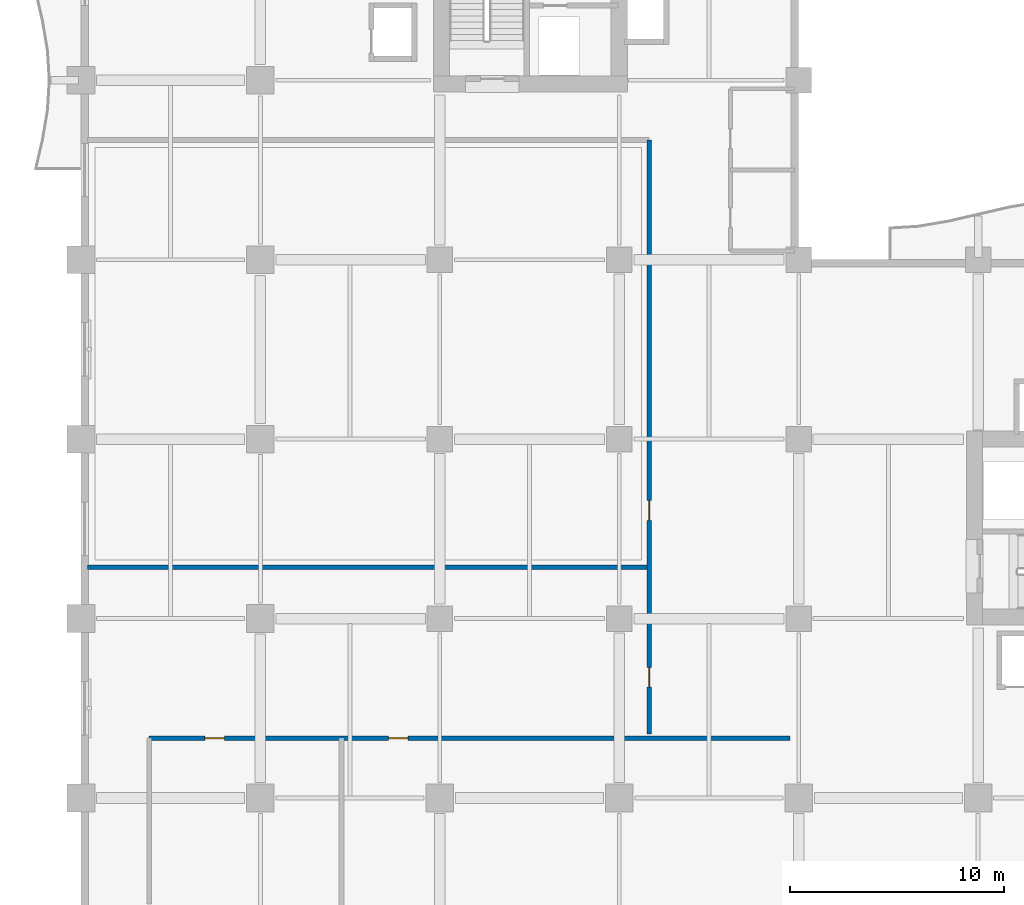
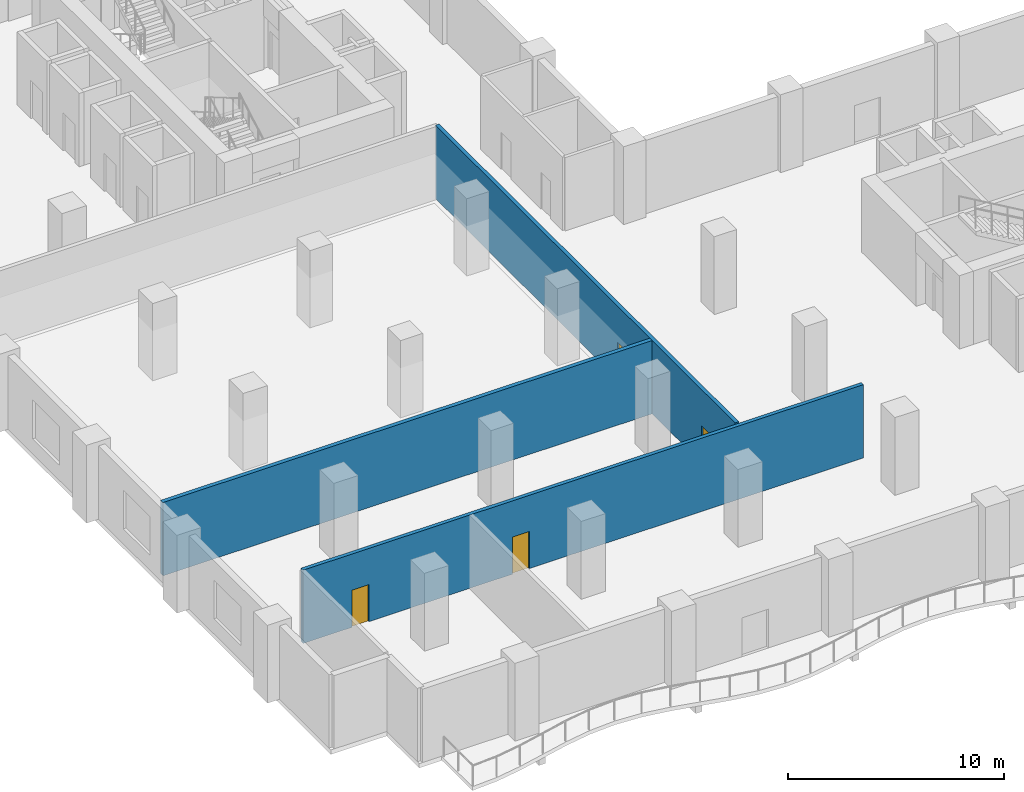
# One storey, part 7 of 21: 4 doors, 3 walls, 4 openings.
"""IFC4 building model written with IfcOpenShell, lengths in metres."""

from ifc_helpers import new_model, si_unit, direction, frame, frame_2d, origin, place, context, subcontext, project, spatial, rectangle, extrude, material, layer, layer_set, type_object, element, fill, save


model = new_model("IFC4")

# Units and contexts
model_context = context("Model", 3, precision=1e-05, world=origin(), true_north=direction((0.0, 1.0)))
body_context = subcontext(model_context, "Body", "Model", "MODEL_VIEW")
ifc_project = project(units=[si_unit("LENGTHUNIT", "METRE"), si_unit("AREAUNIT", "SQUARE_METRE"), si_unit("VOLUMEUNIT", "CUBIC_METRE"), si_unit("PLANEANGLEUNIT", "RADIAN"), si_unit("MASSUNIT", "GRAM", prefix="KILO")], contexts=[model_context])

# Site, building, storey
site_placement = place(None, origin())
site = spatial("IfcSite", under=ifc_project, at=site_placement, CompositionType="ELEMENT")
building_placement = place(site_placement, origin())
building = spatial("IfcBuilding", under=site, at=building_placement, Name="Koriwani Terraces Tower", CompositionType="ELEMENT")
storey_placement = place(building_placement, frame((0.0, 0.0, 85.199951171875)))
storey = spatial("IfcBuildingStorey", under=building, at=storey_placement, Name="L20", CompositionType="ELEMENT", Elevation=85.199951171875)

# Wall, openings, doors
ifc_material_1 = material(Name="Autoclaved Cellular Concrete Blockwork", Category="masonry")
ifc_layer_1 = layer(ifc_material_1, 0.199951171875, Name="Autoclaved Cellular Concrete Blockwork")
ifc_layer_set_1 = layer_set([ifc_layer_1], Name="Autoclaved Cellular Concrete Blockwork")
wall_type_1 = type_object("IfcWallType", Name="WALL_CORRIDOR_200", PredefinedType="PARTITIONING", material=ifc_layer_set_1)
wall_1_placement = place(storey_placement, frame((3.199951171875, 11.199951171875, 0.0), z_axis=(0.0, 0.0, 1.0), x_axis=(1.0, 0.0, 0.0)))
wall_1 = element("IfcWall", 1, at=wall_1_placement, inside=storey, type_object=wall_type_1, Name="L20 Interior Wall WSKY-SPN-L20", PredefinedType="PARTITIONING", context=body_context, shape_type="SweptSolid", body=[
    extrude(rectangle(XDim=30.0, YDim=0.199951171875, at=frame_2d((15.0, 0.0))), origin(), (0.0, 0.0, 1.0), 4.150146484375),
])
opening_1_placement = place(wall_1_placement, frame((2.60009765625, 0.0, 0.0)))
opening_1 = element("IfcOpeningElement", 2, at=opening_1_placement, cuts=wall_1, Name="Opening D-06", PredefinedType="OPENING", context=body_context, shape_type="SweptSolid", body=[
    extrude(rectangle(XDim=0.919921875, YDim=2.10009765625, at=frame_2d((0.4599609375, 1.050048828125))), frame((0.0, 0.10986328125, 0.0), z_axis=(0.0, -1.0, 0.0), x_axis=(1.0, 0.0, 0.0)), (0.0, 0.0, 1.0), 0.219970703125),
])
opening_2_placement = place(wall_1_placement, frame((11.199951171875, 0.0, 0.0)))
opening_2 = element("IfcOpeningElement", 3, at=opening_2_placement, cuts=wall_1, Name="Opening D-06", PredefinedType="OPENING", context=body_context, shape_type="SweptSolid", body=[
    extrude(rectangle(XDim=0.919921875, YDim=2.10009765625, at=frame_2d((0.4599609375, 1.050048828125))), frame((0.0, 0.10986328125, 0.0), z_axis=(0.0, -1.0, 0.0), x_axis=(1.0, 0.0, 0.0)), (0.0, 0.0, 1.0), 0.219970703125),
])
ifc_material_2 = material(Name="Architectural Oak Fire Door", Category="wood")
door_type = type_object("IfcDoorType", Name="DOOR_ROOM_INT_920X2100", OperationType="NOTDEFINED", PredefinedType="DOOR", material=ifc_material_2)
door_1_placement = place(opening_1_placement, origin())
door_1 = element("IfcDoor", 4, at=door_1_placement, inside=storey, type_object=door_type, Name="L20 Sky Spa Salon Door", OperationType="SINGLE_SWING_RIGHT", OverallHeight=2.10009765625, OverallWidth=0.919921875, PredefinedType="DOOR", context=body_context, shape_type="SweptSolid", body=[
    extrude(rectangle(XDim=0.919921875, YDim=2.10009765625, at=frame_2d((0.4599609375, 1.050048828125))), frame((0.0, 0.02490234375, 0.0), z_axis=(0.0, -1.0, 0.0), x_axis=(1.0, 0.0, 0.0)), (0.0, 0.0, 1.0), 0.050048828125),
])
fill(opening_1, door_1)
door_2_placement = place(opening_2_placement, origin())
door_2 = element("IfcDoor", 5, at=door_2_placement, inside=storey, type_object=door_type, Name="L20 Sommelier Kitchen Door", OperationType="SINGLE_SWING_LEFT", OverallHeight=2.10009765625, OverallWidth=0.919921875, PredefinedType="DOOR", context=body_context, shape_type="SweptSolid", body=[
    extrude(rectangle(XDim=0.919921875, YDim=2.10009765625, at=frame_2d((0.4599609375, 1.050048828125))), frame((0.0, 0.02490234375, 0.0), z_axis=(0.0, -1.0, 0.0), x_axis=(1.0, 0.0, 0.0)), (0.0, 0.0, 1.0), 0.050048828125),
])
fill(opening_2, door_2)

wall_2_placement = place(storey_placement, frame((26.60009765625, 11.39990234375, 0.0), z_axis=(0.0, 0.0, 1.0), x_axis=(0.0, 1.0, 0.0)))
wall_2 = element("IfcWall", 6, at=wall_2_placement, inside=storey, type_object=wall_type_1, Name="L20 Interior Wall WSKY-WME-L20", PredefinedType="PARTITIONING", context=body_context, shape_type="SweptSolid", body=[
    extrude(rectangle(XDim=27.800048828125, YDim=0.199951171875, at=frame_2d((13.89990234375, 0.0))), origin(), (0.0, 0.0, 1.0), 4.150146484375),
])
opening_3_placement = place(wall_2_placement, frame((2.199951171875, 0.0, 0.0)))
opening_3 = element("IfcOpeningElement", 7, at=opening_3_placement, cuts=wall_2, Name="Opening D-06", PredefinedType="OPENING", context=body_context, shape_type="SweptSolid", body=[
    extrude(rectangle(XDim=0.919921875, YDim=2.10009765625, at=frame_2d((0.4599609375, 1.050048828125))), frame((0.0, 0.10986328125, 0.0), z_axis=(0.0, -1.0, 0.0), x_axis=(1.0, 0.0, 0.0)), (0.0, 0.0, 1.0), 0.219970703125),
])
opening_4_placement = place(wall_2_placement, frame((10.0, 0.0, 0.0)))
opening_4 = element("IfcOpeningElement", 8, at=opening_4_placement, cuts=wall_2, Name="Opening D-06", PredefinedType="OPENING", context=body_context, shape_type="SweptSolid", body=[
    extrude(rectangle(XDim=0.919921875, YDim=2.10009765625, at=frame_2d((0.4599609375, 1.050048828125))), frame((0.0, 0.10986328125, 0.0), z_axis=(0.0, -1.0, 0.0), x_axis=(1.0, 0.0, 0.0)), (0.0, 0.0, 1.0), 0.219970703125),
])
door_3_placement = place(opening_3_placement, origin())
door_3 = element("IfcDoor", 9, at=door_3_placement, inside=storey, type_object=door_type, Name="L20 Screening Room Door", OperationType="SINGLE_SWING_RIGHT", OverallHeight=2.10009765625, OverallWidth=0.919921875, PredefinedType="DOOR", context=body_context, shape_type="SweptSolid", body=[
    extrude(rectangle(XDim=0.919921875, YDim=2.10009765625, at=frame_2d((0.4599609375, 1.050048828125))), frame((0.0, 0.02490234375, 0.0), z_axis=(0.0, -1.0, 0.0), x_axis=(1.0, 0.0, 0.0)), (0.0, 0.0, 1.0), 0.050048828125),
])
fill(opening_3, door_3)
door_4_placement = place(opening_4_placement, origin())
door_4 = element("IfcDoor", 10, at=door_4_placement, inside=storey, type_object=door_type, Name="L20 Study Library Door", OperationType="SINGLE_SWING_LEFT", OverallHeight=2.10009765625, OverallWidth=0.919921875, PredefinedType="DOOR", context=body_context, shape_type="SweptSolid", body=[
    extrude(rectangle(XDim=0.919921875, YDim=2.10009765625, at=frame_2d((0.4599609375, 1.050048828125))), frame((0.0, 0.02490234375, 0.0), z_axis=(0.0, -1.0, 0.0), x_axis=(1.0, 0.0, 0.0)), (0.0, 0.0, 1.0), 0.050048828125),
])
fill(opening_4, door_4)

# Wall
ifc_layer_2 = layer(ifc_material_1, 0.219970703125, Name="Autoclaved Cellular Concrete Blockwork")
ifc_layer_set_2 = layer_set([ifc_layer_2], Name="Autoclaved Cellular Concrete Blockwork")
wall_type_2 = type_object("IfcWallType", Name="WALL_DEMISING_220", PredefinedType="PARTITIONING", material=ifc_layer_set_2)
wall_3_placement = place(storey_placement, frame((0.300048828125, 19.199951171875, 0.0), z_axis=(0.0, 0.0, 1.0), x_axis=(1.0, 0.0, 0.0)))
element("IfcWall", 11, at=wall_3_placement, inside=storey, type_object=wall_type_2, Name="L20 Interior Wall WSKY-WMM-L20", PredefinedType="PARTITIONING", context=body_context, shape_type="SweptSolid", body=[
    extrude(rectangle(XDim=26.300048828125, YDim=0.219970703125, at=frame_2d((13.14990234375, 0.0))), origin(), (0.0, 0.0, 1.0), 4.150146484375),
])

save(model, "model.ifc")
